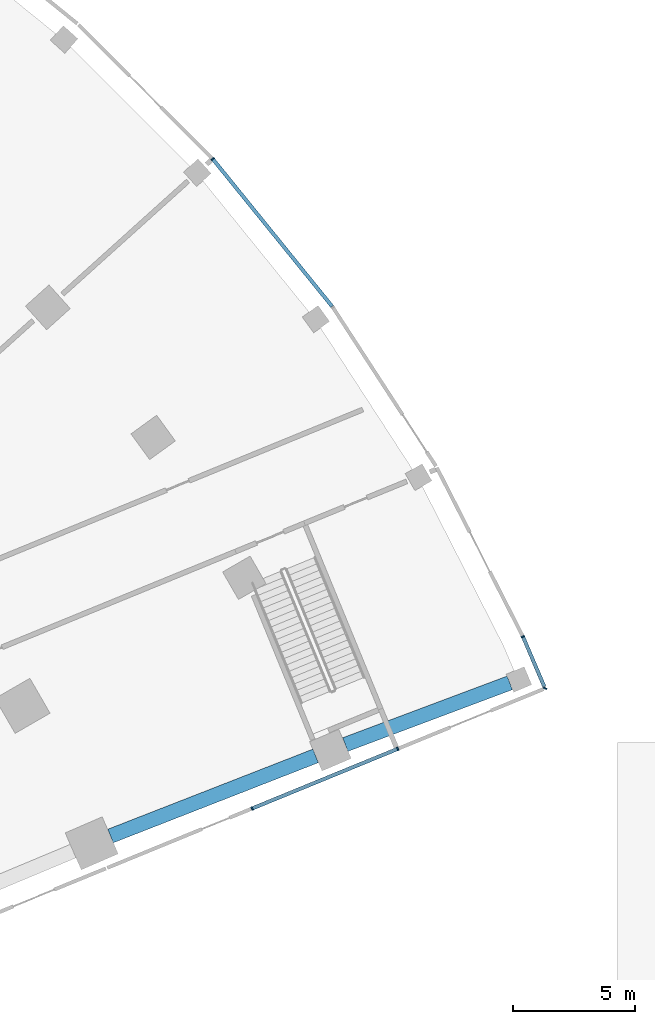
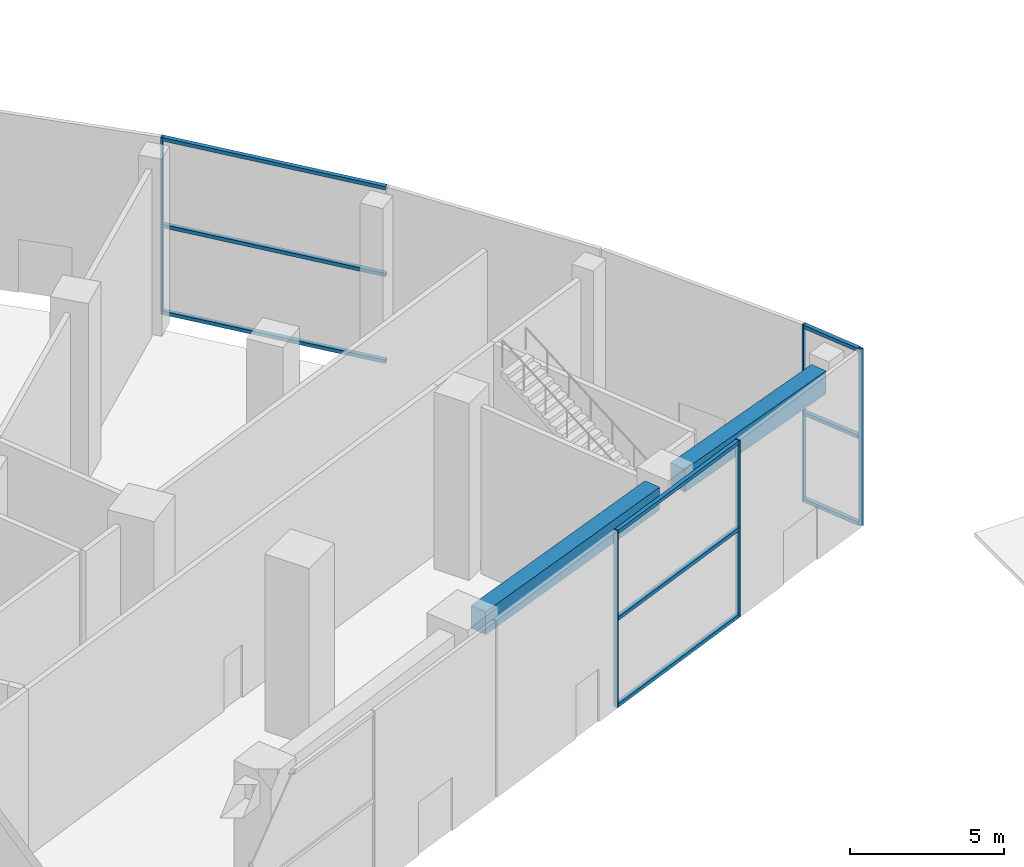
# One storey, part 15 of 60: 14 members, 2 beams, 2 elements without a shape of their own.
"""IFC4 building model written with IfcOpenShell, lengths in metres."""

from ifc_helpers import new_model, si_unit, direction, frame, origin, origin_2d, place, context, subcontext, project, spatial, rectangle, extrude, material, layer, layer_set, material_profile, profile_set, type_object, element, aggregate, save


model = new_model("IFC4")

# Units and contexts
model_context = context("Model", 3, precision=1e-05, world=origin(), true_north=direction((0.0, 1.0)))
body_context = subcontext(model_context, "Body", "Model", "MODEL_VIEW")
ifc_project = project(units=[si_unit("LENGTHUNIT", "METRE"), si_unit("AREAUNIT", "SQUARE_METRE"), si_unit("VOLUMEUNIT", "CUBIC_METRE"), si_unit("PLANEANGLEUNIT", "RADIAN"), si_unit("MASSUNIT", "GRAM", prefix="KILO")], contexts=[model_context])

# Site, building, storey
site_placement = place(None, origin())
site = spatial("IfcSite", under=ifc_project, at=site_placement, CompositionType="ELEMENT")
building_placement = place(site_placement, origin())
building = spatial("IfcBuilding", under=site, at=building_placement, Name="Stone Belt Terrace Tower", CompositionType="ELEMENT")
storey_placement = place(building_placement, origin())
storey = spatial("IfcBuildingStorey", under=building, at=storey_placement, Name="L00", CompositionType="ELEMENT", Elevation=0.0)

# Curtain wall, members
ifc_material_1 = material(Name="Aluminium 6063-T6 anodised frame", Category="aluminium")
ifc_layer = layer(ifc_material_1, 0.14990234375)
ifc_layer_set = layer_set([ifc_layer], Name="CW-D podium shopfront")
curtain_wall_type = type_object("IfcCurtainWallType", Name="CW-D podium shopfront", PredefinedType="NOTDEFINED", material=ifc_layer_set)
curtain_wall_1_placement = place(storey_placement, origin())
curtain_wall_1 = element("IfcCurtainWall", 1, at=curtain_wall_1_placement, inside=storey, type_object=curtain_wall_type, Name="CW-D end face L00", PredefinedType="NOTDEFINED")
ifc_material_profile_1 = material_profile(ifc_material_1, rectangle(XDim=0.14990234375, YDim=0.06005859375, at=origin_2d()), Name="Aluminium 6063-T6 60x150")
ifc_profile_set_1 = profile_set([ifc_material_profile_1], Name="Aluminium 6063-T6 anodised frame")
member_type_1 = type_object("IfcMemberType", Name="CW-D mullion 60 x 150", PredefinedType="MULLION", material=ifc_profile_set_1)
member_1_placement = place(storey_placement, frame((57.037109375, 23.296142578125, 0.0), z_axis=(0.0, 0.0, 1.0), x_axis=(-0.379243093825, 0.925297074342, 0.0)))
member_1 = element("IfcMember", 2, at=member_1_placement, type_object=member_type_1, Name="CW-D mullion 8", PredefinedType="MULLION", context=body_context, shape_type="SweptSolid", body=[
    extrude(rectangle(XDim=0.14990234375, YDim=0.06005859375, at=origin_2d()), origin(), (0.0, 0.0, 1.0), 7.0),
])
member_2_placement = place(storey_placement, frame((63.0, 25.740234375, 0.0), z_axis=(0.0, 0.0, 1.0), x_axis=(-0.379243093825, 0.925297074342, 0.0)))
member_2 = element("IfcMember", 3, at=member_2_placement, type_object=member_type_1, Name="CW-D mullion 9", PredefinedType="MULLION", context=body_context, shape_type="SweptSolid", body=[
    extrude(rectangle(XDim=0.14990234375, YDim=0.06005859375, at=origin_2d()), origin(), (0.0, 0.0, 1.0), 7.0),
])

curtain_wall_2_placement = place(storey_placement, origin())
curtain_wall_2 = element("IfcCurtainWall", 4, at=curtain_wall_2_placement, inside=storey, type_object=curtain_wall_type, Name="CW-D convex face L00", PredefinedType="NOTDEFINED")
member_3_placement = place(storey_placement, frame((69.033447265625, 28.213134765625, 0.0), z_axis=(0.0, 0.0, 1.0), x_axis=(-0.925309719849, 0.379212239192, 0.0)))
member_3 = element("IfcMember", 5, at=member_3_placement, type_object=member_type_1, Name="CW-D mullion 1", PredefinedType="MULLION", context=body_context, shape_type="SweptSolid", body=[
    extrude(rectangle(XDim=0.14990234375, YDim=0.06005859375, at=origin_2d()), origin(), (0.0, 0.0, 1.0), 7.0),
])
member_4_placement = place(storey_placement, frame((68.127197265625, 30.333740234375, 0.0), z_axis=(0.0, 0.0, 1.0), x_axis=(-0.905778201442, -0.423752108895, 0.0)))
member_4 = element("IfcMember", 6, at=member_4_placement, type_object=member_type_1, Name="CW-D mullion 2", PredefinedType="MULLION", context=body_context, shape_type="SweptSolid", body=[
    extrude(rectangle(XDim=0.14990234375, YDim=0.06005859375, at=origin_2d()), origin(), (0.0, 0.0, 1.0), 7.0),
])
member_5_placement = place(storey_placement, frame((55.420166015625, 49.900390625, 0.0), z_axis=(0.0, 0.0, 1.0), x_axis=(-0.743144825477, -0.669130606359, 0.0)))
member_5 = element("IfcMember", 7, at=member_5_placement, type_object=member_type_1, Name="CW-D mullion 5", PredefinedType="MULLION", context=body_context, shape_type="SweptSolid", body=[
    extrude(rectangle(XDim=0.14990234375, YDim=0.06005859375, at=origin_2d()), origin(), (0.0, 0.0, 1.0), 7.0),
])

# Member
ifc_material_profile_2 = material_profile(ifc_material_1, rectangle(XDim=0.14990234375, YDim=0.139892578125, at=origin_2d()), Name="Aluminium 6063-T6 150x140")
ifc_profile_set_2 = profile_set([ifc_material_profile_2], Name="Aluminium 6063-T6 anodised frame")
member_type_2 = type_object("IfcMemberType", Name="CW-D transom 140 x 150", PredefinedType="USERDEFINED", material=ifc_profile_set_2)
member_6_placement = place(storey_placement, frame((57.064697265625, 23.3076171875, 0.070068359375), z_axis=(0.925307998203, 0.379216440126, 0.0), x_axis=(-0.379216440126, 0.925307998203, 0.0)))
member_6 = element("IfcMember", 8, at=member_6_placement, type_object=member_type_2, Name="CW-D transom 8.1", ObjectType="TRANSOM", PredefinedType="USERDEFINED", context=body_context, shape_type="SweptSolid", body=[
    extrude(rectangle(XDim=0.14990234375, YDim=0.139892578125, at=origin_2d()), origin(), (0.0, 0.0, 1.0), 6.384521484375),
])

member_7_placement = place(storey_placement, frame((57.064697265625, 23.3076171875, 3.5), z_axis=(0.925307998203, 0.379216440126, 0.0), x_axis=(-0.379216440126, 0.925307998203, 0.0)))
member_7 = element("IfcMember", 9, at=member_7_placement, type_object=member_type_2, Name="CW-D transom 8.2", ObjectType="TRANSOM", PredefinedType="USERDEFINED", context=body_context, shape_type="SweptSolid", body=[
    extrude(rectangle(XDim=0.14990234375, YDim=0.139892578125, at=origin_2d()), origin(), (0.0, 0.0, 1.0), 6.384521484375),
])

member_8_placement = place(storey_placement, frame((57.064697265625, 23.3076171875, 6.929931640625), z_axis=(0.925307998203, 0.379216440126, 0.0), x_axis=(-0.379216440126, 0.925307998203, 0.0)))
member_8 = element("IfcMember", 10, at=member_8_placement, type_object=member_type_2, Name="CW-D transom 8.3", ObjectType="TRANSOM", PredefinedType="USERDEFINED", context=body_context, shape_type="SweptSolid", body=[
    extrude(rectangle(XDim=0.14990234375, YDim=0.139892578125, at=origin_2d()), origin(), (0.0, 0.0, 1.0), 6.384521484375),
])

aggregate(curtain_wall_1, [member_1, member_2, member_6, member_7, member_8])

member_9_placement = place(storey_placement, frame((69.004150390625, 28.281494140625, 0.070068359375), z_axis=(-0.39299460879, 0.919540775312, 0.0), x_axis=(-0.919540775312, -0.39299460879, 0.0)))
member_9 = element("IfcMember", 11, at=member_9_placement, type_object=member_type_2, Name="CW-D transom 1.1", ObjectType="TRANSOM", PredefinedType="USERDEFINED", context=body_context, shape_type="SweptSolid", body=[
    extrude(rectangle(XDim=0.14990234375, YDim=0.139892578125, at=origin_2d()), origin(), (0.0, 0.0, 1.0), 2.19921875),
])

member_10_placement = place(storey_placement, frame((69.004150390625, 28.281494140625, 3.5), z_axis=(-0.39299460879, 0.919540775312, 0.0), x_axis=(-0.919540775312, -0.39299460879, 0.0)))
member_10 = element("IfcMember", 12, at=member_10_placement, type_object=member_type_2, Name="CW-D transom 1.2", ObjectType="TRANSOM", PredefinedType="USERDEFINED", context=body_context, shape_type="SweptSolid", body=[
    extrude(rectangle(XDim=0.14990234375, YDim=0.139892578125, at=origin_2d()), origin(), (0.0, 0.0, 1.0), 2.19921875),
])

member_11_placement = place(storey_placement, frame((69.004150390625, 28.281494140625, 6.929931640625), z_axis=(-0.39299460879, 0.919540775312, 0.0), x_axis=(-0.919540775312, -0.39299460879, 0.0)))
member_11 = element("IfcMember", 13, at=member_11_placement, type_object=member_type_2, Name="CW-D transom 1.3", ObjectType="TRANSOM", PredefinedType="USERDEFINED", context=body_context, shape_type="SweptSolid", body=[
    extrude(rectangle(XDim=0.14990234375, YDim=0.139892578125, at=origin_2d()), origin(), (0.0, 0.0, 1.0), 2.19921875),
])

member_12_placement = place(storey_placement, frame((60.311279296875, 43.860595703125, 0.070068359375), z_axis=(-0.62932800712, 0.777139794023, 0.0), x_axis=(-0.777139794023, -0.62932800712, 0.0)))
member_12 = element("IfcMember", 14, at=member_12_placement, type_object=member_type_2, Name="CW-D transom 4.1", ObjectType="TRANSOM", PredefinedType="USERDEFINED", context=body_context, shape_type="SweptSolid", body=[
    extrude(rectangle(XDim=0.14990234375, YDim=0.139892578125, at=origin_2d()), origin(), (0.0, 0.0, 1.0), 7.73828125),
])

member_13_placement = place(storey_placement, frame((60.311279296875, 43.860595703125, 3.5), z_axis=(-0.62932800712, 0.777139794023, 0.0), x_axis=(-0.777139794023, -0.62932800712, 0.0)))
member_13 = element("IfcMember", 15, at=member_13_placement, type_object=member_type_2, Name="CW-D transom 4.2", ObjectType="TRANSOM", PredefinedType="USERDEFINED", context=body_context, shape_type="SweptSolid", body=[
    extrude(rectangle(XDim=0.14990234375, YDim=0.139892578125, at=origin_2d()), origin(), (0.0, 0.0, 1.0), 7.73828125),
])

member_14_placement = place(storey_placement, frame((60.311279296875, 43.860595703125, 6.929931640625), z_axis=(-0.62932800712, 0.777139794023, 0.0), x_axis=(-0.777139794023, -0.62932800712, 0.0)))
member_14 = element("IfcMember", 16, at=member_14_placement, type_object=member_type_2, Name="CW-D transom 4.3", ObjectType="TRANSOM", PredefinedType="USERDEFINED", context=body_context, shape_type="SweptSolid", body=[
    extrude(rectangle(XDim=0.14990234375, YDim=0.139892578125, at=origin_2d()), origin(), (0.0, 0.0, 1.0), 7.73828125),
])

aggregate(curtain_wall_2, [member_3, member_4, member_5, member_9, member_10, member_11, member_12, member_13, member_14])

# Beams
ifc_material_2 = material(Name="Concrete B60", Category="concrete")
ifc_material_profile_3 = material_profile(ifc_material_2, rectangle(XDim=0.60009765625, YDim=0.89990234375, at=origin_2d()), Name="RC 600x900")
ifc_profile_set_3 = profile_set([ifc_material_profile_3], Name="Concrete B60")
beam_type = type_object("IfcBeamType", Name="Edge beam RC 600x900 B60", PredefinedType="SPANDREL", material=ifc_profile_set_3)
beam_1_placement = place(storey_placement, frame((51.235107421875, 22.167724609375, 6.14990234375), z_axis=(0.931488596429, 0.363770524813, 0.0), x_axis=(-0.363770524813, 0.931488596429, 0.0)))
element("IfcBeam", 17, at=beam_1_placement, inside=storey, type_object=beam_type, Name="Edge beam L00 B Q to R", PredefinedType="SPANDREL", context=body_context, shape_type="SweptSolid", body=[
    extrude(rectangle(XDim=0.60009765625, YDim=0.89990234375, at=origin_2d()), origin(), (0.0, 0.0, 1.0), 9.018798828125),
])
beam_2_placement = place(storey_placement, frame((60.85107421875, 25.913330078125, 6.14990234375), z_axis=(0.936357063025, 0.351049071389, 0.0), x_axis=(-0.351049071389, 0.936357063025, 0.0)))
element("IfcBeam", 18, at=beam_2_placement, inside=storey, type_object=beam_type, Name="Edge beam L00 B R to S", PredefinedType="SPANDREL", context=body_context, shape_type="SweptSolid", body=[
    extrude(rectangle(XDim=0.60009765625, YDim=0.89990234375, at=origin_2d()), origin(), (0.0, 0.0, 1.0), 7.1953125),
])

save(model, "model.ifc")
